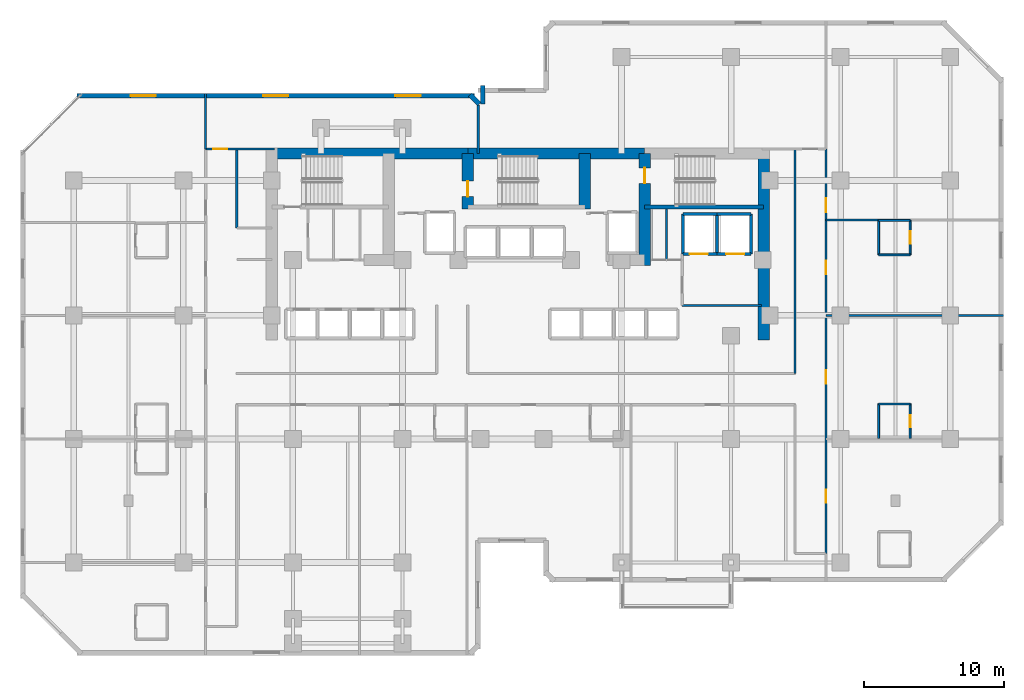
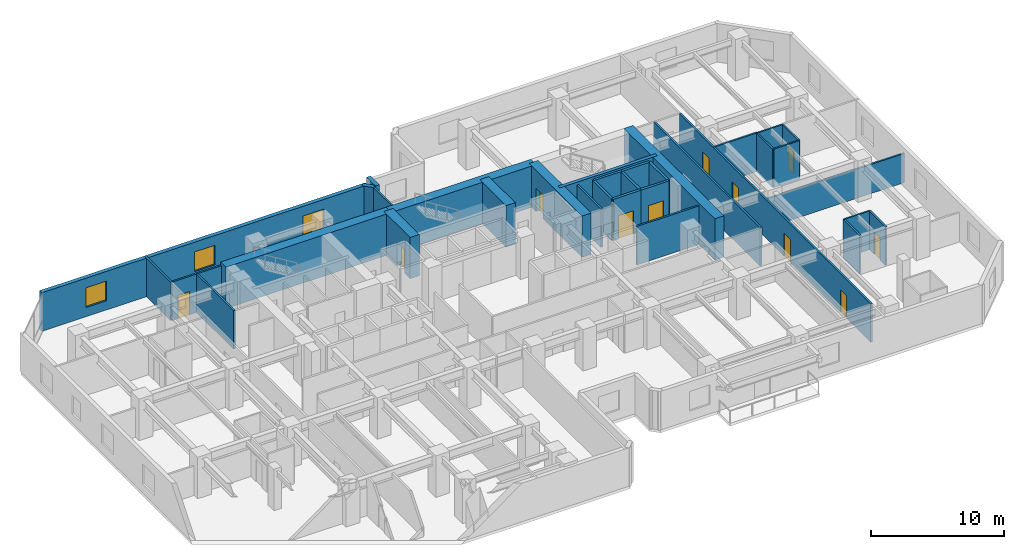
# One storey, part 8 of 11: 34 walls, 11 doors, 3 windows, 14 openings.
"""IFC4 building model written with IfcOpenShell, lengths in metres."""

from ifc_helpers import new_model, si_unit, direction, frame, frame_2d, origin, place, context, subcontext, project, spatial, rectangle, extrude, material, layer, layer_set, type_object, element, fill, save


model = new_model("IFC4")

# Units and contexts
model_context = context("Model", 3, precision=1e-05, world=origin(), true_north=direction((0.0, 1.0)))
body_context = subcontext(model_context, "Body", "Model", "MODEL_VIEW")
ifc_project = project(units=[si_unit("LENGTHUNIT", "METRE"), si_unit("AREAUNIT", "SQUARE_METRE"), si_unit("VOLUMEUNIT", "CUBIC_METRE"), si_unit("PLANEANGLEUNIT", "RADIAN"), si_unit("MASSUNIT", "GRAM", prefix="KILO")], contexts=[model_context])

# Site, building, storey
site_placement = place(None, origin())
site = spatial("IfcSite", under=ifc_project, at=site_placement, CompositionType="ELEMENT")
building_placement = place(site_placement, origin())
building = spatial("IfcBuilding", under=site, at=building_placement, Name="Kestravale Grand Hotel", CompositionType="ELEMENT")
storey_placement = place(building_placement, frame((0.0, 0.0, 107.0)))
storey = spatial("IfcBuildingStorey", under=building, at=storey_placement, Name="L26", CompositionType="ELEMENT", Elevation=107.0)

# Walls
ifc_material_1 = material(Name="Concrete f'c 60 MPa", Category="concrete")
ifc_layer_1 = layer(ifc_material_1, 0.800048828125)
ifc_layer_set_1 = layer_set([ifc_layer_1], Name="EW-CORE-800")
wall_type_1 = type_object("IfcWallType", Name="EW-CORE-800", PredefinedType="SHEAR", material=ifc_layer_set_1)
wall_1_placement = place(storey_placement, frame((21.5, 40.320068359375, 0.0), z_axis=(0.0, 0.0, 1.0), x_axis=(1.0, 0.0, 0.0)))
element("IfcWall", 1, at=wall_1_placement, inside=storey, type_object=wall_type_1, Name="L26 core shear wall N1", PredefinedType="SHEAR", context=body_context, shape_type="SweptSolid", body=[
    extrude(rectangle(XDim=14.35009765625, YDim=0.800048828125, at=frame_2d((7.175048828125, 0.0))), origin(), (0.0, 0.0, 1.0), 3.800048828125),
])
wall_2_placement = place(storey_placement, frame((35.85009765625, 40.320068359375, 0.0), z_axis=(0.0, 0.0, 1.0), x_axis=(1.0, 0.0, 0.0)))
element("IfcWall", 2, at=wall_2_placement, inside=storey, type_object=wall_type_1, Name="L26 core shear wall N2", PredefinedType="SHEAR", context=body_context, shape_type="SweptSolid", body=[
    extrude(rectangle(XDim=12.599853515625, YDim=0.800048828125, at=frame_2d((6.2998046875, 0.0))), origin(), (0.0, 0.0, 1.0), 3.800048828125),
])
wall_3_placement = place(storey_placement, frame((56.919921875, 27.050048828125, 0.0), z_axis=(0.0, 0.0, 1.0), x_axis=(0.0, 1.0, 0.0)))
element("IfcWall", 3, at=wall_3_placement, inside=storey, type_object=wall_type_1, Name="L26 core shear wall E1", PredefinedType="SHEAR", context=body_context, shape_type="SweptSolid", body=[
    extrude(rectangle(XDim=13.669921875, YDim=0.800048828125, at=frame_2d((6.8349609375, 0.0))), origin(), (0.0, 0.0, 1.0), 3.800048828125),
])

# Wall, opening, door
wall_4_placement = place(storey_placement, frame((35.85009765625, 36.3701171875, 0.0), z_axis=(0.0, 0.0, 1.0), x_axis=(0.0, 1.0, 0.0)))
wall_4 = element("IfcWall", 4, at=wall_4_placement, inside=storey, type_object=wall_type_1, Name="L26 core shear wall X2", PredefinedType="SHEAR", context=body_context, shape_type="SweptSolid", body=[
    extrude(rectangle(XDim=3.949951171875, YDim=0.800048828125, at=frame_2d((1.97509765625, 0.0))), origin(), (0.0, 0.0, 1.0), 3.800048828125),
])
opening_1_placement = place(wall_4_placement, frame((0.8798828125, 0.0, 0.0)))
opening_1 = element("IfcOpeningElement", 5, at=opening_1_placement, cuts=wall_4, Name="Opening D-ST-1100", PredefinedType="OPENING", context=body_context, shape_type="SweptSolid", body=[
    extrude(rectangle(XDim=1.10009765625, YDim=2.14990234375, at=frame_2d((0.550048828125, 1.074951171875))), frame((0.0, 0.409912109375, 0.0), z_axis=(0.0, -1.0, 0.0), x_axis=(1.0, 0.0, 0.0)), (0.0, 0.0, 1.0), 0.820068359375),
])
ifc_material_2 = material(Name="Galvanised 90-minute fire-rated steel stair door", Category="steel")
door_type_1 = type_object("IfcDoorType", Name="D-ST-1100", OperationType="NOTDEFINED", PredefinedType="DOOR", material=ifc_material_2)
door_1_placement = place(opening_1_placement, origin())
door_1 = element("IfcDoor", 6, at=door_1_placement, inside=storey, type_object=door_type_1, Name="L26 Stair ST-2 FSAE fire door", OperationType="SINGLE_SWING_RIGHT", OverallHeight=2.14990234375, OverallWidth=1.10009765625, PredefinedType="DOOR", context=body_context, shape_type="SweptSolid", body=[
    extrude(rectangle(XDim=1.10009765625, YDim=2.14990234375, at=frame_2d((0.550048828125, 1.074951171875))), frame((0.0, 0.02490234375, 0.0), z_axis=(0.0, -1.0, 0.0), x_axis=(1.0, 0.0, 0.0)), (0.0, 0.0, 1.0), 0.050048828125),
])
fill(opening_1, door_1)

# Wall
wall_5_placement = place(storey_placement, frame((44.179931640625, 36.3701171875, 0.0), z_axis=(0.0, 0.0, 1.0), x_axis=(0.0, 1.0, 0.0)))
element("IfcWall", 7, at=wall_5_placement, inside=storey, type_object=wall_type_1, Name="L26 core shear wall X3", PredefinedType="SHEAR", context=body_context, shape_type="SweptSolid", body=[
    extrude(rectangle(XDim=3.949951171875, YDim=0.800048828125, at=frame_2d((1.97509765625, 0.0))), origin(), (0.0, 0.0, 1.0), 3.800048828125),
])

# Wall, opening, door
wall_6_placement = place(storey_placement, frame((48.449951171875, 32.35009765625, 0.0), z_axis=(0.0, 0.0, 1.0), x_axis=(0.0, 1.0, 0.0)))
wall_6 = element("IfcWall", 8, at=wall_6_placement, inside=storey, type_object=wall_type_1, Name="L26 core shear wall X4", PredefinedType="SHEAR", context=body_context, shape_type="SweptSolid", body=[
    extrude(rectangle(XDim=7.969970703125, YDim=0.800048828125, at=frame_2d((3.98486328125, 0.0))), origin(), (0.0, 0.0, 1.0), 3.800048828125),
])
opening_2_placement = place(wall_6_placement, frame((5.85009765625, 0.0, 0.0)))
opening_2 = element("IfcOpeningElement", 9, at=opening_2_placement, cuts=wall_6, Name="Opening D-ST-1100", PredefinedType="OPENING", context=body_context, shape_type="SweptSolid", body=[
    extrude(rectangle(XDim=1.10009765625, YDim=2.14990234375, at=frame_2d((0.550048828125, 1.074951171875))), frame((0.0, 0.409912109375, 0.0), z_axis=(0.0, -1.0, 0.0), x_axis=(1.0, 0.0, 0.0)), (0.0, 0.0, 1.0), 0.820068359375),
])
door_2_placement = place(opening_2_placement, origin())
door_2 = element("IfcDoor", 10, at=door_2_placement, inside=storey, type_object=door_type_1, Name="L26 Stair ST-3 FSAE fire door", OperationType="SINGLE_SWING_RIGHT", OverallHeight=2.14990234375, OverallWidth=1.10009765625, PredefinedType="DOOR", context=body_context, shape_type="SweptSolid", body=[
    extrude(rectangle(XDim=1.10009765625, YDim=2.14990234375, at=frame_2d((0.550048828125, 1.074951171875))), frame((0.0, 0.02490234375, 0.0), z_axis=(0.0, -1.0, 0.0), x_axis=(1.0, 0.0, 0.0)), (0.0, 0.0, 1.0), 0.050048828125),
])
fill(opening_2, door_2)

# Walls
ifc_material_3 = material(Name="Precast concrete f'c 45 MPa", Category="concrete")
ifc_layer_2 = layer(ifc_material_3, 0.340087890625)
ifc_layer_set_2 = layer_set([ifc_layer_2], Name="EW-PREC-340")
wall_type_2 = type_object("IfcWallType", Name="EW-PREC-340", PredefinedType="SOLIDWALL", material=ifc_layer_set_2)
wall_7_placement = place(storey_placement, frame((36.919921875, 45.169921875, 0.0), z_axis=(0.0, 0.0, 1.0), x_axis=(0.0, -1.0, 0.0)))
element("IfcWall", 11, at=wall_7_placement, inside=storey, type_object=wall_type_2, Name="L26 fluted precast facade wall 15", PredefinedType="SOLIDWALL", context=body_context, shape_type="SweptSolid", body=[
    extrude(rectangle(XDim=1.33984375, YDim=0.340087890625, at=frame_2d((0.669921875, 0.0))), origin(), (0.0, 0.0, 1.0), 3.5400390625),
])
wall_8_placement = place(storey_placement, frame((36.658203125, 43.8515625, 0.0), z_axis=(0.0, 0.0, 1.0), x_axis=(-0.707238225886, 0.706975312048, 0.0)))
element("IfcWall", 12, at=wall_8_placement, inside=storey, type_object=wall_type_2, Name="L26 fluted precast facade wall 16", PredefinedType="SOLIDWALL", context=body_context, shape_type="SweptSolid", body=[
    extrude(rectangle(XDim=0.9287109375, YDim=0.340087890625, at=frame_2d((0.46435546875, 0.0))), origin(), (0.0, 0.0, 1.0), 3.5400390625),
])

# Wall, openings, windows
wall_9_placement = place(storey_placement, frame((36.320068359375, 44.429931640625, 0.0), z_axis=(0.0, 0.0, 1.0), x_axis=(-1.0, 0.0, 0.0)))
wall_9 = element("IfcWall", 13, at=wall_9_placement, inside=storey, type_object=wall_type_2, Name="L26 fluted precast facade wall 17", PredefinedType="SOLIDWALL", context=body_context, shape_type="SweptSolid", body=[
    extrude(rectangle(XDim=28.2900390625, YDim=0.340087890625, at=frame_2d((14.14501953125, 0.0))), origin(), (0.0, 0.0, 1.0), 3.5400390625),
])
opening_3_placement = place(wall_9_placement, frame((3.81494140625, 0.0, 0.85009765625)))
opening_3 = element("IfcOpeningElement", 14, at=opening_3_placement, cuts=wall_9, Name="Opening W-GUEST-1800", PredefinedType="OPENING", context=body_context, shape_type="SweptSolid", body=[
    extrude(rectangle(XDim=1.800048828125, YDim=1.800048828125, at=frame_2d((0.89990234375, 0.89990234375))), frame((0.0, 0.179931640625, 0.0), z_axis=(0.0, -1.0, 0.0), x_axis=(1.0, 0.0, 0.0)), (0.0, 0.0, 1.0), 0.360107421875),
])
opening_4_placement = place(wall_9_placement, frame((13.2451171875, 0.0, 0.85009765625)))
opening_4 = element("IfcOpeningElement", 15, at=opening_4_placement, cuts=wall_9, Name="Opening W-GUEST-1800", PredefinedType="OPENING", context=body_context, shape_type="SweptSolid", body=[
    extrude(rectangle(XDim=1.800048828125, YDim=1.800048828125, at=frame_2d((0.89990234375, 0.89990234375))), frame((0.0, 0.179931640625, 0.0), z_axis=(0.0, -1.0, 0.0), x_axis=(1.0, 0.0, 0.0)), (0.0, 0.0, 1.0), 0.360107421875),
])
opening_5_placement = place(wall_9_placement, frame((22.675048828125, 0.0, 0.85009765625)))
opening_5 = element("IfcOpeningElement", 16, at=opening_5_placement, cuts=wall_9, Name="Opening W-GUEST-1800", PredefinedType="OPENING", context=body_context, shape_type="SweptSolid", body=[
    extrude(rectangle(XDim=1.800048828125, YDim=1.800048828125, at=frame_2d((0.89990234375, 0.89990234375))), frame((0.0, 0.179931640625, 0.0), z_axis=(0.0, -1.0, 0.0), x_axis=(1.0, 0.0, 0.0)), (0.0, 0.0, 1.0), 0.360107421875),
])
ifc_material_4 = material(Name="Insulated low-E double glazing in aluminium frame", Category="aluminium")
window_type = type_object("IfcWindowType", Name="W-GUEST-1800", PartitioningType="DOUBLE_PANEL_VERTICAL", PredefinedType="WINDOW", material=ifc_material_4)
window_1_placement = place(opening_3_placement, origin())
window_1 = element("IfcWindow", 17, at=window_1_placement, inside=storey, type_object=window_type, Name="L26 exterior window 17.1", OverallHeight=1.800048828125, OverallWidth=1.800048828125, PartitioningType="SINGLE_PANEL", PredefinedType="WINDOW", context=body_context, shape_type="SweptSolid", body=[
    extrude(rectangle(XDim=1.800048828125, YDim=1.800048828125, at=frame_2d((0.89990234375, 0.89990234375))), frame((0.0, 0.030029296875, 0.0), z_axis=(0.0, -1.0, 0.0), x_axis=(1.0, 0.0, 0.0)), (0.0, 0.0, 1.0), 0.06005859375),
])
fill(opening_3, window_1)
window_2_placement = place(opening_4_placement, origin())
window_2 = element("IfcWindow", 18, at=window_2_placement, inside=storey, type_object=window_type, Name="L26 exterior window 17.2", OverallHeight=1.800048828125, OverallWidth=1.800048828125, PartitioningType="SINGLE_PANEL", PredefinedType="WINDOW", context=body_context, shape_type="SweptSolid", body=[
    extrude(rectangle(XDim=1.800048828125, YDim=1.800048828125, at=frame_2d((0.89990234375, 0.89990234375))), frame((0.0, 0.030029296875, 0.0), z_axis=(0.0, -1.0, 0.0), x_axis=(1.0, 0.0, 0.0)), (0.0, 0.0, 1.0), 0.06005859375),
])
fill(opening_4, window_2)
window_3_placement = place(opening_5_placement, origin())
window_3 = element("IfcWindow", 19, at=window_3_placement, inside=storey, type_object=window_type, Name="L26 exterior window 17.3", OverallHeight=1.800048828125, OverallWidth=1.800048828125, PartitioningType="SINGLE_PANEL", PredefinedType="WINDOW", context=body_context, shape_type="SweptSolid", body=[
    extrude(rectangle(XDim=1.800048828125, YDim=1.800048828125, at=frame_2d((0.89990234375, 0.89990234375))), frame((0.0, 0.030029296875, 0.0), z_axis=(0.0, -1.0, 0.0), x_axis=(1.0, 0.0, 0.0)), (0.0, 0.0, 1.0), 0.06005859375),
])
fill(opening_5, window_3)

# Walls
ifc_material_5 = material(Name="Concrete f'c 45 MPa", Category="concrete")
ifc_layer_3 = layer(ifc_material_5, 0.300048828125)
ifc_layer_set_3 = layer_set([ifc_layer_3], Name="EW-STAIR-300")
wall_type_3 = type_object("IfcWallType", Name="EW-STAIR-300", PredefinedType="SHEAR", material=ifc_layer_set_3)
wall_10_placement = place(storey_placement, frame((48.449951171875, 36.52001953125, 0.0), z_axis=(0.0, 0.0, 1.0), x_axis=(1.0, 0.0, 0.0)))
element("IfcWall", 20, at=wall_10_placement, inside=storey, type_object=wall_type_3, Name="L26 stair enclosure shear wall SST3", PredefinedType="SHEAR", context=body_context, shape_type="SweptSolid", body=[
    extrude(rectangle(XDim=8.469970703125, YDim=0.300048828125, at=frame_2d((4.23486328125, 0.0))), origin(), (0.0, 0.0, 1.0), 3.800048828125),
])
ifc_material_6 = material(Name="Acoustic fire-rated gypsum board partition", Category="other")
ifc_layer_4 = layer(ifc_material_6, 0.159912109375)
ifc_layer_set_4 = layer_set([ifc_layer_4], Name="IW-CORR-160")
wall_type_4 = type_object("IfcWallType", Name="IW-CORR-160", PredefinedType="PARTITIONING", material=ifc_layer_set_4)
for number, where, z_axis, x_axis, name in (
    (21, (51.1201171875, 29.5, 0.0), (0.0, 0.0, 1.0), (1.0, 0.0, 0.0), "L26 service lift lobby wall"),
    (22, (19.409912109375, 35.02001953125, 0.0), (0.0, 0.0, 1.0), (0.0, 1.0, 0.0), "W-L26-SW-EN"),
):
    element("IfcWall", number, at=place(storey_placement, frame(where, z_axis=z_axis, x_axis=x_axis)), inside=storey, type_object=wall_type_4, Name=name, PredefinedType="PARTITIONING", context=body_context, shape_type="SweptSolid", body=[
        extrude(rectangle(XDim=5.6298828125, YDim=0.159912109375, at=frame_2d((2.81494140625, 0.0))), origin(), (0.0, 0.0, 1.0), 3.5400390625),
    ])

# Wall, openings, doors
wall_11_placement = place(storey_placement, frame((61.360107421875, 11.85009765625, 0.0), z_axis=(0.0, 0.0, 1.0), x_axis=(0.0, 1.0, 0.0)))
wall_11 = element("IfcWall", 23, at=wall_11_placement, inside=storey, type_object=wall_type_4, Name="W-L26-SE-E", PredefinedType="PARTITIONING", context=body_context, shape_type="SweptSolid", body=[
    extrude(rectangle(XDim=28.7998046875, YDim=0.159912109375, at=frame_2d((14.39990234375, 0.0))), origin(), (0.0, 0.0, 1.0), 3.5400390625),
])
opening_6_placement = place(wall_11_placement, frame((3.60009765625, 0.0, 0.0)))
opening_6 = element("IfcOpeningElement", 24, at=opening_6_placement, cuts=wall_11, Name="Opening D-GUEST-950", PredefinedType="OPENING", context=body_context, shape_type="SweptSolid", body=[
    extrude(rectangle(XDim=0.949951171875, YDim=2.10009765625, at=frame_2d((0.47509765625, 1.050048828125))), frame((0.0, 0.08984375, 0.0), z_axis=(0.0, -1.0, 0.0), x_axis=(1.0, 0.0, 0.0)), (0.0, 0.0, 1.0), 0.179931640625),
])
opening_7_placement = place(wall_11_placement, frame((12.074951171875, 0.0, 0.0)))
opening_7 = element("IfcOpeningElement", 25, at=opening_7_placement, cuts=wall_11, Name="Opening D-GUEST-950", PredefinedType="OPENING", context=body_context, shape_type="SweptSolid", body=[
    extrude(rectangle(XDim=0.949951171875, YDim=2.10009765625, at=frame_2d((0.47509765625, 1.050048828125))), frame((0.0, 0.08984375, 0.0), z_axis=(0.0, -1.0, 0.0), x_axis=(1.0, 0.0, 0.0)), (0.0, 0.0, 1.0), 0.179931640625),
])
opening_8_placement = place(wall_11_placement, frame((19.875, 0.0, 0.0)))
opening_8 = element("IfcOpeningElement", 26, at=opening_8_placement, cuts=wall_11, Name="Opening D-GUEST-950", PredefinedType="OPENING", context=body_context, shape_type="SweptSolid", body=[
    extrude(rectangle(XDim=0.949951171875, YDim=2.10009765625, at=frame_2d((0.47509765625, 1.050048828125))), frame((0.0, 0.08984375, 0.0), z_axis=(0.0, -1.0, 0.0), x_axis=(1.0, 0.0, 0.0)), (0.0, 0.0, 1.0), 0.179931640625),
])
opening_9_placement = place(wall_11_placement, frame((24.300048828125, 0.0, 0.0)))
opening_9 = element("IfcOpeningElement", 27, at=opening_9_placement, cuts=wall_11, Name="Opening D-GUEST-1000", PredefinedType="OPENING", context=body_context, shape_type="SweptSolid", body=[
    extrude(rectangle(XDim=1.0, YDim=2.14990234375, at=frame_2d((0.5, 1.074951171875))), frame((0.0, 0.08984375, 0.0), z_axis=(0.0, -1.0, 0.0), x_axis=(1.0, 0.0, 0.0)), (0.0, 0.0, 1.0), 0.179931640625),
])
ifc_material_7 = material(Name="Accessible walnut veneer hotel entrance fire door", Category="wood")
door_type_2 = type_object("IfcDoorType", Name="D-GUEST-1000", OperationType="NOTDEFINED", PredefinedType="DOOR", material=ifc_material_7)
door_3_placement = place(opening_9_placement, origin())
door_3 = element("IfcDoor", 28, at=door_3_placement, inside=storey, type_object=door_type_2, Name="D-L26-AMEW", OperationType="SINGLE_SWING_RIGHT", OverallHeight=2.14990234375, OverallWidth=1.0, PredefinedType="DOOR", context=body_context, shape_type="SweptSolid", body=[
    extrude(rectangle(XDim=1.0, YDim=2.14990234375, at=frame_2d((0.5, 1.074951171875))), frame((0.0, 0.02490234375, 0.0), z_axis=(0.0, -1.0, 0.0), x_axis=(1.0, 0.0, 0.0)), (0.0, 0.0, 1.0), 0.050048828125),
])
fill(opening_9, door_3)
ifc_material_8 = material(Name="Walnut veneer hotel guestroom entrance fire door", Category="wood")
door_type_3 = type_object("IfcDoorType", Name="D-GUEST-950", OperationType="NOTDEFINED", PredefinedType="DOOR", material=ifc_material_8)
door_4_placement = place(opening_6_placement, origin())
door_4 = element("IfcDoor", 29, at=door_4_placement, inside=storey, type_object=door_type_3, Name="D-L26-U07-ENT", OperationType="SINGLE_SWING_LEFT", OverallHeight=2.10009765625, OverallWidth=0.949951171875, PredefinedType="DOOR", context=body_context, shape_type="SweptSolid", body=[
    extrude(rectangle(XDim=0.949951171875, YDim=2.10009765625, at=frame_2d((0.47509765625, 1.050048828125))), frame((0.0, 0.02490234375, 0.0), z_axis=(0.0, -1.0, 0.0), x_axis=(1.0, 0.0, 0.0)), (0.0, 0.0, 1.0), 0.050048828125),
])
fill(opening_6, door_4)
door_5_placement = place(opening_7_placement, origin())
door_5 = element("IfcDoor", 30, at=door_5_placement, inside=storey, type_object=door_type_3, Name="D-L26-U08-ENT", OperationType="SINGLE_SWING_LEFT", OverallHeight=2.10009765625, OverallWidth=0.949951171875, PredefinedType="DOOR", context=body_context, shape_type="SweptSolid", body=[
    extrude(rectangle(XDim=0.949951171875, YDim=2.10009765625, at=frame_2d((0.47509765625, 1.050048828125))), frame((0.0, 0.02490234375, 0.0), z_axis=(0.0, -1.0, 0.0), x_axis=(1.0, 0.0, 0.0)), (0.0, 0.0, 1.0), 0.050048828125),
])
fill(opening_7, door_5)
door_6_placement = place(opening_8_placement, origin())
door_6 = element("IfcDoor", 31, at=door_6_placement, inside=storey, type_object=door_type_3, Name="D-L26-U09-ENT", OperationType="SINGLE_SWING_LEFT", OverallHeight=2.10009765625, OverallWidth=0.949951171875, PredefinedType="DOOR", context=body_context, shape_type="SweptSolid", body=[
    extrude(rectangle(XDim=0.949951171875, YDim=2.10009765625, at=frame_2d((0.47509765625, 1.050048828125))), frame((0.0, 0.02490234375, 0.0), z_axis=(0.0, -1.0, 0.0), x_axis=(1.0, 0.0, 0.0)), (0.0, 0.0, 1.0), 0.050048828125),
])
fill(opening_8, door_6)

# Walls
wall_12_placement = place(storey_placement, frame((59.139892578125, 24.659912109375, 0.0), z_axis=(0.0, 0.0, 1.0), x_axis=(0.0, 1.0, 0.0)))
element("IfcWall", 32, at=wall_12_placement, inside=storey, type_object=wall_type_4, Name="W-L26-SE-WU", PredefinedType="PARTITIONING", context=body_context, shape_type="SweptSolid", body=[
    extrude(rectangle(XDim=15.989990234375, YDim=0.159912109375, at=frame_2d((7.9951171875, 0.0))), origin(), (0.0, 0.0, 1.0), 3.5400390625),
])
ifc_material_9 = material(Name="Moisture-resistant tile-backer plumbing chase wall", Category="other")
ifc_layer_5 = layer(ifc_material_9, 0.139892578125)
ifc_layer_set_5 = layer_set([ifc_layer_5], Name="IW-PLB-140")
wall_type_5 = type_object("IfcWallType", Name="IW-PLB-140", PredefinedType="PLUMBINGWALL", material=ifc_layer_set_5)
wall_13_placement = place(storey_placement, frame((65.10009765625, 20.0400390625, 0.0), z_axis=(0.0, 0.0, 1.0), x_axis=(0.0, 1.0, 0.0)))
element("IfcWall", 33, at=wall_13_placement, inside=storey, type_object=wall_type_5, Name="W-L26-U08-BW", PredefinedType="PLUMBINGWALL", context=body_context, shape_type="SweptSolid", body=[
    extrude(rectangle(XDim=2.449951171875, YDim=0.139892578125, at=frame_2d((1.22509765625, 0.0))), origin(), (0.0, 0.0, 1.0), 3.5400390625),
])

# Wall, opening, door
wall_14_placement = place(storey_placement, frame((67.35009765625, 20.0400390625, 0.0), z_axis=(0.0, 0.0, 1.0), x_axis=(0.0, 1.0, 0.0)))
wall_14 = element("IfcWall", 34, at=wall_14_placement, inside=storey, type_object=wall_type_5, Name="W-L26-U08-BE", PredefinedType="PLUMBINGWALL", context=body_context, shape_type="SweptSolid", body=[
    extrude(rectangle(XDim=2.449951171875, YDim=0.139892578125, at=frame_2d((1.22509765625, 0.0))), origin(), (0.0, 0.0, 1.0), 3.5400390625),
])
opening_10_placement = place(wall_14_placement, frame((0.784912109375, 0.0, 0.0)))
opening_10 = element("IfcOpeningElement", 35, at=opening_10_placement, cuts=wall_14, Name="Opening D-BATH-880", PredefinedType="OPENING", context=body_context, shape_type="SweptSolid", body=[
    extrude(rectangle(XDim=0.8798828125, YDim=2.050048828125, at=frame_2d((0.43994140625, 1.02490234375))), frame((0.0, 0.079833984375, 0.0), z_axis=(0.0, -1.0, 0.0), x_axis=(1.0, 0.0, 0.0)), (0.0, 0.0, 1.0), 0.159912109375),
])
ifc_material_10 = material(Name="Moisture-sealed walnut en-suite bathroom door", Category="wood")
door_type_4 = type_object("IfcDoorType", Name="D-BATH-880", OperationType="NOTDEFINED", PredefinedType="DOOR", material=ifc_material_10)
door_7_placement = place(opening_10_placement, origin())
door_7 = element("IfcDoor", 36, at=door_7_placement, inside=storey, type_object=door_type_4, Name="D-L26-U08-BATH", OperationType="SINGLE_SWING_RIGHT", OverallHeight=2.050048828125, OverallWidth=0.8798828125, PredefinedType="DOOR", context=body_context, shape_type="SweptSolid", body=[
    extrude(rectangle(XDim=0.8798828125, YDim=2.050048828125, at=frame_2d((0.43994140625, 1.02490234375))), frame((0.0, 0.02490234375, 0.0), z_axis=(0.0, -1.0, 0.0), x_axis=(1.0, 0.0, 0.0)), (0.0, 0.0, 1.0), 0.050048828125),
])
fill(opening_10, door_7)

# Walls
wall_15_placement = place(storey_placement, frame((65.10009765625, 22.489990234375, 0.0), z_axis=(0.0, 0.0, 1.0), x_axis=(1.0, 0.0, 0.0)))
element("IfcWall", 37, at=wall_15_placement, inside=storey, type_object=wall_type_5, Name="W-L26-U08-BN", PredefinedType="PLUMBINGWALL", context=body_context, shape_type="SweptSolid", body=[
    extrude(rectangle(XDim=2.25, YDim=0.139892578125, at=frame_2d((1.125, 0.0))), origin(), (0.0, 0.0, 1.0), 3.5400390625),
])
wall_16_placement = place(storey_placement, frame((65.10009765625, 33.110107421875, 0.0), z_axis=(0.0, 0.0, 1.0), x_axis=(0.0, 1.0, 0.0)))
element("IfcWall", 38, at=wall_16_placement, inside=storey, type_object=wall_type_5, Name="W-L26-U09-BW", PredefinedType="PLUMBINGWALL", context=body_context, shape_type="SweptSolid", body=[
    extrude(rectangle(XDim=2.449951171875, YDim=0.139892578125, at=frame_2d((1.22509765625, 0.0))), origin(), (0.0, 0.0, 1.0), 3.5400390625),
])

# Wall, opening, door
wall_17_placement = place(storey_placement, frame((67.35009765625, 33.110107421875, 0.0), z_axis=(0.0, 0.0, 1.0), x_axis=(0.0, 1.0, 0.0)))
wall_17 = element("IfcWall", 39, at=wall_17_placement, inside=storey, type_object=wall_type_5, Name="W-L26-U09-BE", PredefinedType="PLUMBINGWALL", context=body_context, shape_type="SweptSolid", body=[
    extrude(rectangle(XDim=2.449951171875, YDim=0.139892578125, at=frame_2d((1.22509765625, 0.0))), origin(), (0.0, 0.0, 1.0), 3.5400390625),
])
opening_11_placement = place(wall_17_placement, frame((0.784912109375, 0.0, 0.0)))
opening_11 = element("IfcOpeningElement", 40, at=opening_11_placement, cuts=wall_17, Name="Opening D-BATH-880", PredefinedType="OPENING", context=body_context, shape_type="SweptSolid", body=[
    extrude(rectangle(XDim=0.8798828125, YDim=2.050048828125, at=frame_2d((0.43994140625, 1.02490234375))), frame((0.0, 0.079833984375, 0.0), z_axis=(0.0, -1.0, 0.0), x_axis=(1.0, 0.0, 0.0)), (0.0, 0.0, 1.0), 0.159912109375),
])
door_8_placement = place(opening_11_placement, origin())
door_8 = element("IfcDoor", 41, at=door_8_placement, inside=storey, type_object=door_type_4, Name="D-L26-U09-BATH", OperationType="SINGLE_SWING_RIGHT", OverallHeight=2.050048828125, OverallWidth=0.8798828125, PredefinedType="DOOR", context=body_context, shape_type="SweptSolid", body=[
    extrude(rectangle(XDim=0.8798828125, YDim=2.050048828125, at=frame_2d((0.43994140625, 1.02490234375))), frame((0.0, 0.02490234375, 0.0), z_axis=(0.0, -1.0, 0.0), x_axis=(1.0, 0.0, 0.0)), (0.0, 0.0, 1.0), 0.050048828125),
])
fill(opening_11, door_8)

# Walls
for number, where, z_axis, x_axis, name in (
    (42, (65.10009765625, 33.110107421875, 0.0), (0.0, 0.0, 1.0), (1.0, 0.0, 0.0), "W-L26-U09-BS"),
    (43, (65.10009765625, 35.56005859375, 0.0), (0.0, 0.0, 1.0), (1.0, 0.0, 0.0), "W-L26-U09-BN"),
):
    element("IfcWall", number, at=place(storey_placement, frame(where, z_axis=z_axis, x_axis=x_axis)), inside=storey, type_object=wall_type_5, Name=name, PredefinedType="PLUMBINGWALL", context=body_context, shape_type="SweptSolid", body=[
        extrude(rectangle(XDim=2.25, YDim=0.139892578125, at=frame_2d((1.125, 0.0))), origin(), (0.0, 0.0, 1.0), 3.5400390625),
    ])
ifc_material_11 = material(Name="Concrete f'c 45 MPa", Category="concrete")
ifc_layer_6 = layer(ifc_material_11, 0.199951171875)
ifc_layer_set_6 = layer_set([ifc_layer_6], Name="IW-SHAFT-200")
wall_type_6 = type_object("IfcWallType", Name="IW-SHAFT-200", PredefinedType="SHEAR", material=ifc_layer_set_6)
for number, where, z_axis, x_axis, name in (
    (44, (51.179931640625, 33.169921875, 0.0), (0.0, 0.0, 1.0), (0.0, 1.0, 0.0), "L26 SL-1 west shaft wall"),
    (45, (53.60009765625, 33.169921875, 0.0), (0.0, 0.0, 1.0), (0.0, 1.0, 0.0), "L26 SL-2 west shaft wall"),
    (46, (56.02001953125, 33.169921875, 0.0), (0.0, 0.0, 1.0), (0.0, 1.0, 0.0), "L26 SL-2 east shaft wall"),
):
    element("IfcWall", number, at=place(storey_placement, frame(where, z_axis=z_axis, x_axis=x_axis)), inside=storey, type_object=wall_type_6, Name=name, PredefinedType="SHEAR", context=body_context, shape_type="SweptSolid", body=[
        extrude(rectangle(XDim=2.860107421875, YDim=0.199951171875, at=frame_2d((1.43017578125, 0.0))), origin(), (0.0, 0.0, 1.0), 3.800048828125),
    ])
ifc_material_12 = material(Name="Concrete f'c 45 MPa", Category="concrete")
ifc_layer_7 = layer(ifc_material_12, 0.219970703125)
ifc_layer_set_7 = layer_set([ifc_layer_7], Name="IW-SHAFT-220")
wall_type_7 = type_object("IfcWallType", Name="IW-SHAFT-220", PredefinedType="SHEAR", material=ifc_layer_set_7)
wall_18_placement = place(storey_placement, frame((51.179931640625, 36.030029296875, 0.0), z_axis=(0.0, 0.0, 1.0), x_axis=(1.0, 0.0, 0.0)))
element("IfcWall", 47, at=wall_18_placement, inside=storey, type_object=wall_type_7, Name="L26 SL-1 north shaft wall", PredefinedType="SHEAR", context=body_context, shape_type="SweptSolid", body=[
    extrude(rectangle(XDim=2.420166015625, YDim=0.219970703125, at=frame_2d((1.2099609375, 0.0))), origin(), (0.0, 0.0, 1.0), 3.800048828125),
])

# Wall, opening, door
wall_19_placement = place(storey_placement, frame((51.179931640625, 33.169921875, 0.0), z_axis=(0.0, 0.0, 1.0), x_axis=(1.0, 0.0, 0.0)))
wall_19 = element("IfcWall", 48, at=wall_19_placement, inside=storey, type_object=wall_type_7, Name="L26 SL-1 south shaft wall", PredefinedType="SHEAR", context=body_context, shape_type="SweptSolid", body=[
    extrude(rectangle(XDim=2.420166015625, YDim=0.219970703125, at=frame_2d((1.2099609375, 0.0))), origin(), (0.0, 0.0, 1.0), 3.800048828125),
])
opening_12_placement = place(wall_19_placement, frame((0.469970703125, 0.0, 0.0)))
opening_12 = element("IfcOpeningElement", 49, at=opening_12_placement, cuts=wall_19, Name="Opening LD-SVC-1300", PredefinedType="OPENING", context=body_context, shape_type="SweptSolid", body=[
    extrude(rectangle(XDim=1.300048828125, YDim=2.14990234375, at=frame_2d((0.64990234375, 1.074951171875))), frame((0.0, 0.119873046875, 0.0), z_axis=(0.0, -1.0, 0.0), x_axis=(1.0, 0.0, 0.0)), (0.0, 0.0, 1.0), 0.239990234375),
])
ifc_material_13 = material(Name="Heavy-duty service sliding elevator landing door", Category="steel")
door_type_5 = type_object("IfcDoorType", Name="LD-SVC-1300", OperationType="NOTDEFINED", PredefinedType="DOOR", material=ifc_material_13)
door_9_placement = place(opening_12_placement, origin())
door_9 = element("IfcDoor", 50, at=door_9_placement, inside=storey, type_object=door_type_5, Name="L26 SL-1 elevator landing sliding door", OperationType="DOUBLE_DOOR_SLIDING", OverallHeight=2.14990234375, OverallWidth=1.300048828125, PredefinedType="DOOR", context=body_context, shape_type="SweptSolid", body=[
    extrude(rectangle(XDim=1.300048828125, YDim=2.14990234375, at=frame_2d((0.64990234375, 1.074951171875))), frame((0.0, 0.02490234375, 0.0), z_axis=(0.0, -1.0, 0.0), x_axis=(1.0, 0.0, 0.0)), (0.0, 0.0, 1.0), 0.050048828125),
])
fill(opening_12, door_9)

# Wall
wall_20_placement = place(storey_placement, frame((53.60009765625, 36.030029296875, 0.0), z_axis=(0.0, 0.0, 1.0), x_axis=(1.0, 0.0, 0.0)))
element("IfcWall", 51, at=wall_20_placement, inside=storey, type_object=wall_type_7, Name="L26 SL-2 north shaft wall", PredefinedType="SHEAR", context=body_context, shape_type="SweptSolid", body=[
    extrude(rectangle(XDim=2.419921875, YDim=0.219970703125, at=frame_2d((1.2099609375, 0.0))), origin(), (0.0, 0.0, 1.0), 3.800048828125),
])

# Wall, opening, door
wall_21_placement = place(storey_placement, frame((53.60009765625, 33.169921875, 0.0), z_axis=(0.0, 0.0, 1.0), x_axis=(1.0, 0.0, 0.0)))
wall_21 = element("IfcWall", 52, at=wall_21_placement, inside=storey, type_object=wall_type_7, Name="L26 SL-2 south shaft wall", PredefinedType="SHEAR", context=body_context, shape_type="SweptSolid", body=[
    extrude(rectangle(XDim=2.419921875, YDim=0.219970703125, at=frame_2d((1.2099609375, 0.0))), origin(), (0.0, 0.0, 1.0), 3.800048828125),
])
opening_13_placement = place(wall_21_placement, frame((0.64990234375, 0.0, 0.0)))
opening_13 = element("IfcOpeningElement", 53, at=opening_13_placement, cuts=wall_21, Name="Opening LD-SVC-1300", PredefinedType="OPENING", context=body_context, shape_type="SweptSolid", body=[
    extrude(rectangle(XDim=1.300048828125, YDim=2.14990234375, at=frame_2d((0.64990234375, 1.074951171875))), frame((0.0, 0.119873046875, 0.0), z_axis=(0.0, -1.0, 0.0), x_axis=(1.0, 0.0, 0.0)), (0.0, 0.0, 1.0), 0.239990234375),
])
door_10_placement = place(opening_13_placement, origin())
door_10 = element("IfcDoor", 54, at=door_10_placement, inside=storey, type_object=door_type_5, Name="L26 SL-2 elevator landing sliding door", OperationType="DOUBLE_DOOR_SLIDING", OverallHeight=2.14990234375, OverallWidth=1.300048828125, PredefinedType="DOOR", context=body_context, shape_type="SweptSolid", body=[
    extrude(rectangle(XDim=1.300048828125, YDim=2.14990234375, at=frame_2d((0.64990234375, 1.074951171875))), frame((0.0, 0.02490234375, 0.0), z_axis=(0.0, -1.0, 0.0), x_axis=(1.0, 0.0, 0.0)), (0.0, 0.0, 1.0), 0.050048828125),
])
fill(opening_13, door_10)

# Wall
ifc_material_14 = material(Name="Double-stud STC 52 acoustic demising partition", Category="other")
ifc_layer_8 = layer(ifc_material_14, 0.14990234375)
ifc_layer_set_8 = layer_set([ifc_layer_8], Name="IW-UNIT-150")
wall_type_8 = type_object("IfcWallType", Name="IW-UNIT-150", PredefinedType="PARTITIONING", material=ifc_layer_set_8)
wall_22_placement = place(storey_placement, frame((50.010009765625, 32.75, 0.0), z_axis=(0.0, 0.0, 1.0), x_axis=(0.0, 1.0, 0.0)))
element("IfcWall", 55, at=wall_22_placement, inside=storey, type_object=wall_type_8, Name="W-L26-CC1-EM", PredefinedType="PARTITIONING", context=body_context, shape_type="SweptSolid", body=[
    extrude(rectangle(XDim=3.6201171875, YDim=0.14990234375, at=frame_2d((1.81005859375, 0.0))), origin(), (0.0, 0.0, 1.0), 3.5400390625),
])

# Wall, opening, door
wall_23_placement = place(storey_placement, frame((17.18994140625, 40.64990234375, 0.0), z_axis=(0.0, 0.0, 1.0), x_axis=(1.0, 0.0, 0.0)))
wall_23 = element("IfcWall", 56, at=wall_23_placement, inside=storey, type_object=wall_type_8, Name="W-L26-SW-N", PredefinedType="PARTITIONING", context=body_context, shape_type="SweptSolid", body=[
    extrude(rectangle(XDim=4.91015625, YDim=0.14990234375, at=frame_2d((2.455078125, 0.0))), origin(), (0.0, 0.0, 1.0), 3.5400390625),
])
opening_14_placement = place(wall_23_placement, frame((0.550048828125, 0.0, 0.0)))
opening_14 = element("IfcOpeningElement", 57, at=opening_14_placement, cuts=wall_23, Name="Opening D-GUEST-1000", PredefinedType="OPENING", context=body_context, shape_type="SweptSolid", body=[
    extrude(rectangle(XDim=1.0, YDim=2.14990234375, at=frame_2d((0.5, 1.074951171875))), frame((0.0, 0.0849609375, 0.0), z_axis=(0.0, -1.0, 0.0), x_axis=(1.0, 0.0, 0.0)), (0.0, 0.0, 1.0), 0.169921875),
])
door_11_placement = place(opening_14_placement, origin())
door_11 = element("IfcDoor", 58, at=door_11_placement, inside=storey, type_object=door_type_2, Name="L26 NW Gallery Door", OperationType="SINGLE_SWING_RIGHT", OverallHeight=2.14990234375, OverallWidth=1.0, PredefinedType="DOOR", context=body_context, shape_type="SweptSolid", body=[
    extrude(rectangle(XDim=1.0, YDim=2.14990234375, at=frame_2d((0.5, 1.074951171875))), frame((0.0, 0.02490234375, 0.0), z_axis=(0.0, -1.0, 0.0), x_axis=(1.0, 0.0, 0.0)), (0.0, 0.0, 1.0), 0.050048828125),
])
fill(opening_14, door_11)

# Walls
wall_24_placement = place(storey_placement, frame((17.18994140625, 40.64990234375, 0.0), z_axis=(0.0, 0.0, 1.0), x_axis=(0.0, 1.0, 0.0)))
element("IfcWall", 59, at=wall_24_placement, inside=storey, type_object=wall_type_8, Name="W-L26-NGW-W", PredefinedType="PARTITIONING", context=body_context, shape_type="SweptSolid", body=[
    extrude(rectangle(XDim=3.93017578125, YDim=0.14990234375, at=frame_2d((1.965087890625, 0.0))), origin(), (0.0, 0.0, 1.0), 3.5400390625),
])
wall_25_placement = place(storey_placement, frame((36.60009765625, 40.320068359375, 0.0), z_axis=(0.0, 0.0, 1.0), x_axis=(0.0, 1.0, 0.0)))
element("IfcWall", 60, at=wall_25_placement, inside=storey, type_object=wall_type_8, Name="W-L26-NGM", PredefinedType="PARTITIONING", context=body_context, shape_type="SweptSolid", body=[
    extrude(rectangle(XDim=3.445068359375, YDim=0.14990234375, at=frame_2d((1.72265625, 0.0))), origin(), (0.0, 0.0, 1.0), 3.5400390625),
])
wall_26_placement = place(storey_placement, frame((61.360107421875, 28.800048828125, 0.0), z_axis=(0.0, 0.0, 1.0), x_axis=(1.0, 0.0, 0.0)))
element("IfcWall", 61, at=wall_26_placement, inside=storey, type_object=wall_type_8, Name="W-L26-EW-2", PredefinedType="PARTITIONING", context=body_context, shape_type="SweptSolid", body=[
    extrude(rectangle(XDim=12.619873046875, YDim=0.14990234375, at=frame_2d((6.31005859375, 0.0))), origin(), (0.0, 0.0, 1.0), 2.678955078125),
])
wall_27_placement = place(storey_placement, frame((61.360107421875, 35.60009765625, 0.0), z_axis=(0.0, 0.0, 1.0), x_axis=(1.0, 0.0, 0.0)))
element("IfcWall", 62, at=wall_27_placement, inside=storey, type_object=wall_type_8, Name="W-L26-EW-3", PredefinedType="PARTITIONING", context=body_context, shape_type="SweptSolid", body=[
    extrude(rectangle(XDim=3.739990234375, YDim=0.14990234375, at=frame_2d((1.8701171875, 0.0))), origin(), (0.0, 0.0, 1.0), 3.5400390625),
])

save(model, "model.ifc")
